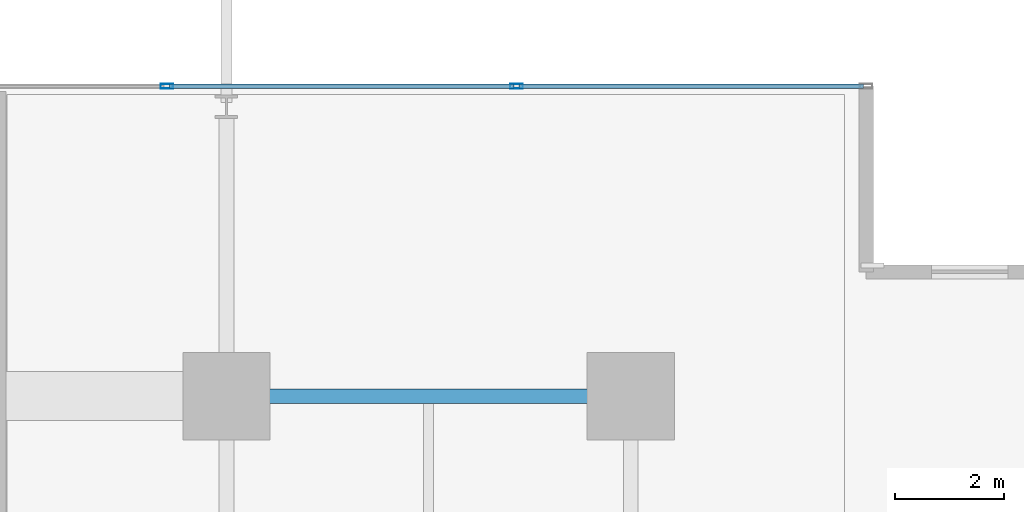
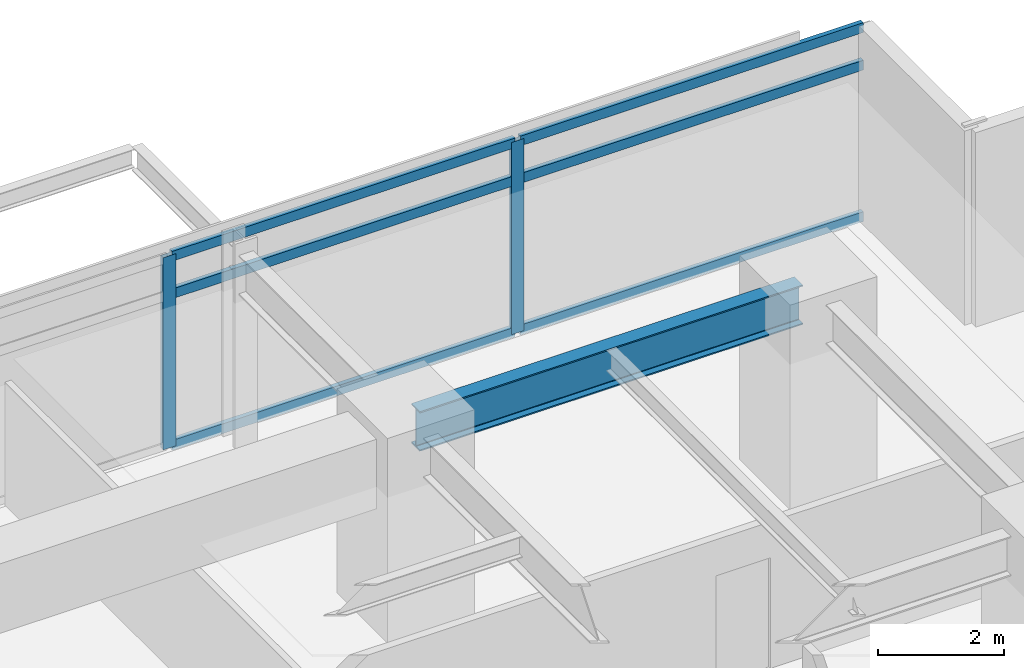
# One storey, part 11 of 24: 8 members, 1 beam, 1 element without a shape of its own.
"""IFC4 building model written with IfcOpenShell, lengths in metres."""

import ifcopenshell
import ifcopenshell.guid

model = None  # the IFC model being written
_history = None  # IfcOwnerHistory: only IFC2X3 demands one
_inside = {}  # id of a spatial element -> (the spatial element, [elements in it])
_under = {}  # id of a project, library or spatial element -> (it, [spatial elements below it])
_declared = {}  # id of a project -> (the project, [libraries it declares])
_typed = {}  # id of a type object -> (the type object, [elements of that type])
_made_of = {}  # id of a material, layer set ... -> (it, [elements and type objects made of it])


def new_model(schema):
    """Start an empty IFC model of exactly this schema.

    Asked for "IFC4X3", IfcOpenShell would pick the latest addendum, in which some entities
    have other attributes; the version numbers below select the first issue.
    IFC2X3 requires an IfcOwnerHistory on every rooted entity: one is made here for all.
    """
    global model, _history
    if schema == "IFC4X3":
        model = ifcopenshell.file(schema_version=(4, 3, 0, 0))
    else:
        model = ifcopenshell.file(schema=schema)
    _inside.clear()
    _under.clear()
    _declared.clear()
    _typed.clear()
    _made_of.clear()
    _history = None
    if model.schema == "IFC2X3":
        org = make("IfcOrganization", Name="unknown")
        user = make(
            "IfcPersonAndOrganization",
            ThePerson=make("IfcPerson", FamilyName="unknown"),
            TheOrganization=org,
        )
        app = make(
            "IfcApplication",
            ApplicationDeveloper=org,
            Version="unknown",
            ApplicationFullName="unknown",
            ApplicationIdentifier="unknown",
        )
        _history = make(
            "IfcOwnerHistory",
            OwningUser=user,
            OwningApplication=app,
            ChangeAction="ADDED",
            CreationDate=0,
        )
    return model


def make(cls, **values):
    """One entity of the class cls with the attributes given. An attribute that is None is left unset."""
    return model.create_entity(
        cls, **{name: value for name, value in values.items() if value is not None}
    )


def rooted(cls, **values):
    """An entity with a GlobalId (a new one), such as an element, a storey or a relation."""
    return make(cls, GlobalId=ifcopenshell.guid.new(), OwnerHistory=_history, **values)


def si_unit(unit_type, name, prefix=None):
    """IfcSIUnit, for example si_unit("LENGTHUNIT", "METRE", prefix="MILLI")."""
    return make("IfcSIUnit", UnitType=unit_type, Prefix=prefix, Name=name)


def assignment(units):
    """IfcUnitAssignment: the units of a project."""
    return None if units is None else make("IfcUnitAssignment", Units=units)


def point(xyz):
    """IfcCartesianPoint."""
    return None if xyz is None else make("IfcCartesianPoint", Coordinates=xyz)


def direction(xyz):
    """IfcDirection."""
    return None if xyz is None else make("IfcDirection", DirectionRatios=xyz)


def frame(location, z_axis=None, x_axis=None):
    """IfcAxis2Placement3D, a coordinate frame: its origin and axes. An axis left out is left unset."""
    return make(
        "IfcAxis2Placement3D",
        Location=point(location),
        Axis=direction(z_axis),
        RefDirection=direction(x_axis),
    )


def frame_2d(location, x_axis=None):
    """IfcAxis2Placement2D, a coordinate frame in the plane: its origin and x axis."""
    return make(
        "IfcAxis2Placement2D", Location=point(location), RefDirection=direction(x_axis)
    )


def origin():
    """The frame at (0, 0, 0) with its axes left unset."""
    return frame((0.0, 0.0, 0.0))


def origin_2d():
    """The frame at (0, 0) in the plane with its x axis left unset."""
    return frame_2d((0.0, 0.0))


def place(relative_to, where):
    """IfcLocalPlacement: puts the frame where relative to a parent placement (None: the world)."""
    return make(
        "IfcLocalPlacement", PlacementRelTo=relative_to, RelativePlacement=where
    )


def context(
    kind, dimensions, precision=None, world=None, true_north=None, identifier=None
):
    """IfcGeometricRepresentationContext, for example the 3D "Model" context."""
    return make(
        "IfcGeometricRepresentationContext",
        ContextIdentifier=identifier,
        ContextType=kind,
        CoordinateSpaceDimension=dimensions,
        Precision=precision,
        WorldCoordinateSystem=world,
        TrueNorth=true_north,
    )


def subcontext(parent, identifier, kind, view, scale=None):
    """IfcGeometricRepresentationSubContext, for example "Body" below "Model"."""
    return make(
        "IfcGeometricRepresentationSubContext",
        ContextIdentifier=identifier,
        ContextType=kind,
        ParentContext=parent,
        TargetScale=scale,
        TargetView=view,
    )


def project(units=None, contexts=None):
    """IfcProject with its units and contexts."""
    return rooted(
        "IfcProject",
        Name="project",
        RepresentationContexts=contexts,
        UnitsInContext=assignment(units),
    )


def spatial(cls, under=None, at=None, **own):
    """A site, building, storey or space (cls), placed at a placement, below another one or the project."""
    s = rooted(cls, ObjectPlacement=at, **own)
    if under is not None:
        _under.setdefault(under.id(), (under, []))[1].append(s)
    return s


def profile(cls, at=None, kind="AREA", **sizes):
    """A parametric profile (cls). Its sizes go by their IFC names, for example OverallWidth=200.0."""
    return make(cls, ProfileType=kind, Position=at, **sizes)


def hollow_rectangle(**sizes):
    """IfcRectangleHollowProfileDef."""
    return profile("IfcRectangleHollowProfileDef", **sizes)


def i_section(**sizes):
    """IfcIShapeProfileDef."""
    return profile("IfcIShapeProfileDef", **sizes)


def extrude(swept, where, along, depth):
    """IfcExtrudedAreaSolid: the profile swept, set in the frame where, extruded along a direction by depth."""
    return make(
        "IfcExtrudedAreaSolid",
        SweptArea=swept,
        Position=where,
        ExtrudedDirection=direction(along),
        Depth=depth,
    )


def shape(context_of_items, identifier, shape_type, items):
    """IfcShapeRepresentation: the items that make up one representation, for example the "Body"."""
    return make(
        "IfcShapeRepresentation",
        ContextOfItems=context_of_items,
        RepresentationIdentifier=identifier,
        RepresentationType=shape_type,
        Items=items,
    )


def material(Name=None, Category=None):
    """IfcMaterial."""
    return make("IfcMaterial", Name=Name, Category=Category)


def material_profile(
    of_material, cross_section, Name=None, Category=None, Priority=None
):
    """IfcMaterialProfile: a cross section and its material."""
    return make(
        "IfcMaterialProfile",
        Name=Name,
        Material=of_material,
        Profile=cross_section,
        Priority=Priority,
        Category=Category,
    )


def profile_set(profiles, Name=None, composite=None):
    """IfcMaterialProfileSet."""
    return make(
        "IfcMaterialProfileSet",
        Name=Name,
        MaterialProfiles=profiles,
        CompositeProfile=composite,
    )


def made_of(thing, what):
    """Note that an element or type object is made of a material, layer set ...; save() writes the relation."""
    if what is not None:
        _made_of.setdefault(what.id(), (what, []))[1].append(thing)
    return thing


def type_object(cls, material=None, **own):
    """A type object (cls), such as IfcWallType, which elements share."""
    return made_of(rooted(cls, **own), material)


def element(
    cls,
    number,
    at=None,
    inside=None,
    cuts=None,
    type_object=None,
    material=None,
    context=None,
    identifier="Body",
    shape_type=None,
    held_by="IfcProductDefinitionShape",
    body=None,
    shapes=None,
    **own,
):
    """One element of the class cls, such as IfcWall. Its Tag is "e" and its number.

    at: its placement. inside: the storey or other place that contains it. cuts: it is an
    opening in that element (IfcRelVoidsElement). A single representation is given by context,
    identifier, shape_type and body (its items); several are given by shapes. held_by: the class
    of the entity that holds the representations. save() writes the other relations.
    """
    e = rooted(cls, Tag="e%d" % number, ObjectPlacement=at, **own)
    if body is not None:
        shapes = [shape(context, identifier, shape_type, body)]
    if shapes is not None:
        e.Representation = make(held_by, Representations=shapes)
    if inside is not None:
        _inside.setdefault(inside.id(), (inside, []))[1].append(e)
    if cuts is not None:
        rooted(
            "IfcRelVoidsElement", RelatingBuildingElement=cuts, RelatedOpeningElement=e
        )
    if type_object is not None:
        _typed.setdefault(type_object.id(), (type_object, []))[1].append(e)
    return made_of(e, material)


def aggregate(whole, parts):
    """IfcRelAggregates: a whole, such as a stair, and the parts it consists of."""
    return rooted("IfcRelAggregates", RelatingObject=whole, RelatedObjects=parts)


def save(model, path):
    """Write the relations noted so far, then the file.

    IfcRelAggregates (storeys below a building ...), IfcRelContainedInSpatialStructure (elements
    in a storey), IfcRelDefinesByType, IfcRelAssociatesMaterial and IfcRelDeclares: one each for
    every whole, place, type object, material and project.
    """
    for whole, parts in _under.values():
        aggregate(whole, parts)
    for where, things in _inside.values():
        rooted(
            "IfcRelContainedInSpatialStructure",
            RelatedElements=things,
            RelatingStructure=where,
        )
    for kind, things in _typed.values():
        rooted("IfcRelDefinesByType", RelatedObjects=things, RelatingType=kind)
    for what, things in _made_of.values():
        rooted("IfcRelAssociatesMaterial", RelatedObjects=things, RelatingMaterial=what)
    for by, libraries in _declared.values():
        rooted("IfcRelDeclares", RelatingContext=by, RelatedDefinitions=libraries)
    model.write(path)


model = new_model("IFC4")

# Units and contexts
model_context = context("Model", 3, precision=1e-05, world=origin(), true_north=direction((0.0, 1.0)))
body_context = subcontext(model_context, "Body", "Model", "MODEL_VIEW")
ifc_project = project(units=[si_unit("LENGTHUNIT", "METRE"), si_unit("AREAUNIT", "SQUARE_METRE"), si_unit("VOLUMEUNIT", "CUBIC_METRE"), si_unit("PLANEANGLEUNIT", "RADIAN"), si_unit("MASSUNIT", "GRAM", prefix="KILO")], contexts=[model_context])

# Site, building, storey
site_placement = place(None, origin())
site = spatial("IfcSite", under=ifc_project, at=site_placement, CompositionType="ELEMENT")
building_placement = place(site_placement, origin())
building = spatial("IfcBuilding", under=site, at=building_placement, Name="Kovane Verandah Tower", CompositionType="ELEMENT")
storey_placement = place(building_placement, frame((0.0, 0.0, 144.39990234375)))
storey = spatial("IfcBuildingStorey", under=building, at=storey_placement, Name="L33", CompositionType="ELEMENT", Elevation=144.39990234375)

# Beam
ifc_material_1 = material(Name="Steel S355", Category="steel")
ifc_material_profile_1 = material_profile(ifc_material_1, i_section(OverallWidth=0.26806640625, OverallDepth=0.769775390625, WebThickness=0.015625, FlangeThickness=0.025390625, FilletRadius=0.0166015625, at=origin_2d()), Name="UB762x267x197")
ifc_profile_set_1 = profile_set([ifc_material_profile_1], Name="Steel S355")
beam_type = type_object("IfcBeamType", Name="BM-UB762x197", PredefinedType="BEAM", material=ifc_profile_set_1)
beam_placement = place(storey_placement, frame((51.179931640625, 44.199951171875, 3.39013671875), z_axis=(1.0, 0.0, 0.0), x_axis=(0.0, 1.0, 0.0)))
element("IfcBeam", 1, at=beam_placement, inside=storey, type_object=beam_type, Name="L33 Primary Tower Girder G-RN3", PredefinedType="BEAM", context=body_context, shape_type="SweptSolid", body=[
    extrude(i_section(OverallWidth=0.26806640625, OverallDepth=0.769775390625, WebThickness=0.015625, FlangeThickness=0.025390625, FilletRadius=0.0166015625, at=origin_2d()), origin(), (0.0, 0.0, 1.0), 7.0400390625),
])

# Curtain wall, members
ifc_material_2 = material(Name="Champagne Anodised Aluminium Frame with Low-E Clear Laminated Glass", Category="aluminium")
curtain_wall_type = type_object("IfcCurtainWallType", Name="CW-SYS-03-MID", PredefinedType="NOTDEFINED", material=ifc_material_2)
curtain_wall_placement = place(storey_placement, origin())
curtain_wall = element("IfcCurtainWall", 2, at=curtain_wall_placement, inside=storey, type_object=curtain_wall_type, Name="L33 N Unitised Curtain Wall", PredefinedType="NOTDEFINED")
ifc_material_3 = material(Name="Champagne Anodised Aluminium 6063-T6", Category="aluminium")
ifc_material_profile_2 = material_profile(ifc_material_3, hollow_rectangle(XDim=0.0849609375, YDim=0.22998046875, WallThickness=0.00390625, at=origin_2d()), Name="AL85x230x4")
ifc_profile_set_2 = profile_set([ifc_material_profile_2], Name="Champagne Anodised Aluminium 6063-T6")
member_type_1 = type_object("IfcMemberType", Name="CW-MUL-85x230", PredefinedType="MULLION", material=ifc_profile_set_2)
member_1_placement = place(storey_placement, frame((56.310791015625, 49.875, 0.02001953125), z_axis=(0.0, 0.0, 1.0), x_axis=(0.0, 1.0, 0.0)))
member_1 = element("IfcMember", 3, at=member_1_placement, type_object=member_type_1, Name="L33 N Unitised Curtain Wall Mullion 2", PredefinedType="MULLION", context=body_context, shape_type="SweptSolid", body=[
    extrude(hollow_rectangle(XDim=0.0849609375, YDim=0.22998046875, WallThickness=0.00390625, at=origin_2d()), origin(), (0.0, 0.0, 1.0), 3.735107421875),
])
member_2_placement = place(storey_placement, frame((49.90771484375, 49.875, 0.02001953125), z_axis=(0.0, 0.0, 1.0), x_axis=(0.0, 1.0, 0.0)))
member_2 = element("IfcMember", 4, at=member_2_placement, type_object=member_type_1, Name="L33 N Unitised Curtain Wall Mullion 3", PredefinedType="MULLION", context=body_context, shape_type="SweptSolid", body=[
    extrude(hollow_rectangle(XDim=0.0849609375, YDim=0.22998046875, WallThickness=0.00390625, at=origin_2d()), origin(), (0.0, 0.0, 1.0), 3.735107421875),
])
ifc_material_profile_3 = material_profile(ifc_material_3, hollow_rectangle(XDim=0.0849609375, YDim=0.18994140625, WallThickness=0.00390625, at=origin_2d()), Name="AL85x190x4")
ifc_profile_set_3 = profile_set([ifc_material_profile_3], Name="Champagne Anodised Aluminium 6063-T6")
member_type_2 = type_object("IfcMemberType", Name="CW-TRN-85x190", PredefinedType="USERDEFINED", material=ifc_profile_set_3)
member_3_placement = place(storey_placement, frame((62.663818359375, 49.875, 0.050048828125), z_axis=(-1.0, 0.0, 0.0), x_axis=(0.0, -1.0, 0.0)))
member_3 = element("IfcMember", 5, at=member_3_placement, type_object=member_type_2, Name="L33 N Unitised Curtain Wall Transom TB Bay 1", ObjectType="TRANSOM", PredefinedType="USERDEFINED", context=body_context, shape_type="SweptSolid", body=[
    extrude(hollow_rectangle(XDim=0.0849609375, YDim=0.18994140625, WallThickness=0.00390625, at=origin_2d()), origin(), (0.0, 0.0, 1.0), 6.302978515625),
])
member_4_placement = place(storey_placement, frame((62.663818359375, 49.875, 2.9951171875), z_axis=(-1.0, 0.0, 0.0), x_axis=(0.0, -1.0, 0.0)))
member_4 = element("IfcMember", 6, at=member_4_placement, type_object=member_type_2, Name="L33 N Unitised Curtain Wall Transom TM Bay 1", ObjectType="TRANSOM", PredefinedType="USERDEFINED", context=body_context, shape_type="SweptSolid", body=[
    extrude(hollow_rectangle(XDim=0.0849609375, YDim=0.18994140625, WallThickness=0.00390625, at=origin_2d()), origin(), (0.0, 0.0, 1.0), 6.302978515625),
])
member_5_placement = place(storey_placement, frame((62.663818359375, 49.875, 3.72509765625), z_axis=(-1.0, 0.0, 0.0), x_axis=(0.0, -1.0, 0.0)))
member_5 = element("IfcMember", 7, at=member_5_placement, type_object=member_type_2, Name="L33 N Unitised Curtain Wall Transom TT Bay 1", ObjectType="TRANSOM", PredefinedType="USERDEFINED", context=body_context, shape_type="SweptSolid", body=[
    extrude(hollow_rectangle(XDim=0.0849609375, YDim=0.18994140625, WallThickness=0.00390625, at=origin_2d()), origin(), (0.0, 0.0, 1.0), 6.302978515625),
])
member_6_placement = place(storey_placement, frame((56.2607421875, 49.875, 0.050048828125), z_axis=(-1.0, 0.0, 0.0), x_axis=(0.0, -1.0, 0.0)))
member_6 = element("IfcMember", 8, at=member_6_placement, type_object=member_type_2, Name="L33 N Unitised Curtain Wall Transom TB Bay 2", ObjectType="TRANSOM", PredefinedType="USERDEFINED", context=body_context, shape_type="SweptSolid", body=[
    extrude(hollow_rectangle(XDim=0.0849609375, YDim=0.18994140625, WallThickness=0.00390625, at=origin_2d()), origin(), (0.0, 0.0, 1.0), 6.302978515625),
])
member_7_placement = place(storey_placement, frame((56.2607421875, 49.875, 2.9951171875), z_axis=(-1.0, 0.0, 0.0), x_axis=(0.0, -1.0, 0.0)))
member_7 = element("IfcMember", 9, at=member_7_placement, type_object=member_type_2, Name="L33 N Unitised Curtain Wall Transom TM Bay 2", ObjectType="TRANSOM", PredefinedType="USERDEFINED", context=body_context, shape_type="SweptSolid", body=[
    extrude(hollow_rectangle(XDim=0.0849609375, YDim=0.18994140625, WallThickness=0.00390625, at=origin_2d()), origin(), (0.0, 0.0, 1.0), 6.302978515625),
])
member_8_placement = place(storey_placement, frame((56.2607421875, 49.875, 3.72509765625), z_axis=(-1.0, 0.0, 0.0), x_axis=(0.0, -1.0, 0.0)))
member_8 = element("IfcMember", 10, at=member_8_placement, type_object=member_type_2, Name="L33 N Unitised Curtain Wall Transom TT Bay 2", ObjectType="TRANSOM", PredefinedType="USERDEFINED", context=body_context, shape_type="SweptSolid", body=[
    extrude(hollow_rectangle(XDim=0.0849609375, YDim=0.18994140625, WallThickness=0.00390625, at=origin_2d()), origin(), (0.0, 0.0, 1.0), 6.302978515625),
])
aggregate(curtain_wall, [member_1, member_2, member_3, member_4, member_5, member_6, member_7, member_8])

save(model, "model.ifc")
